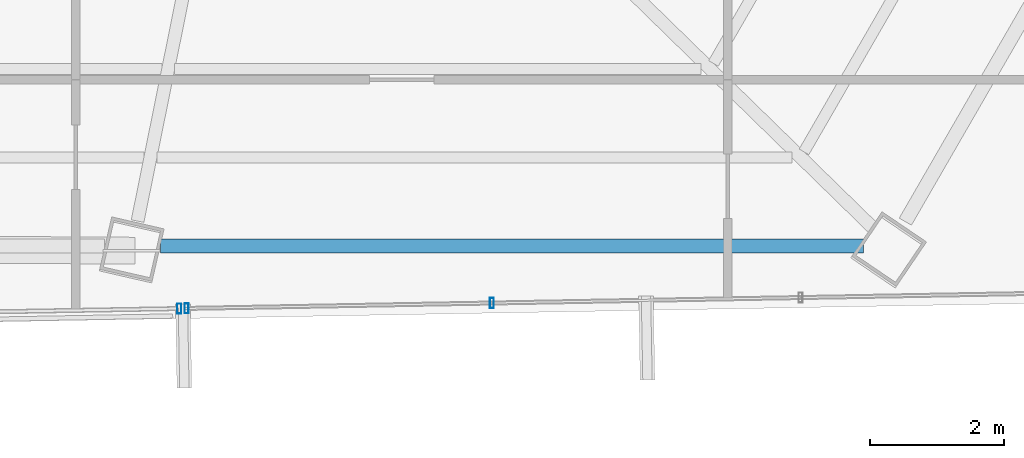
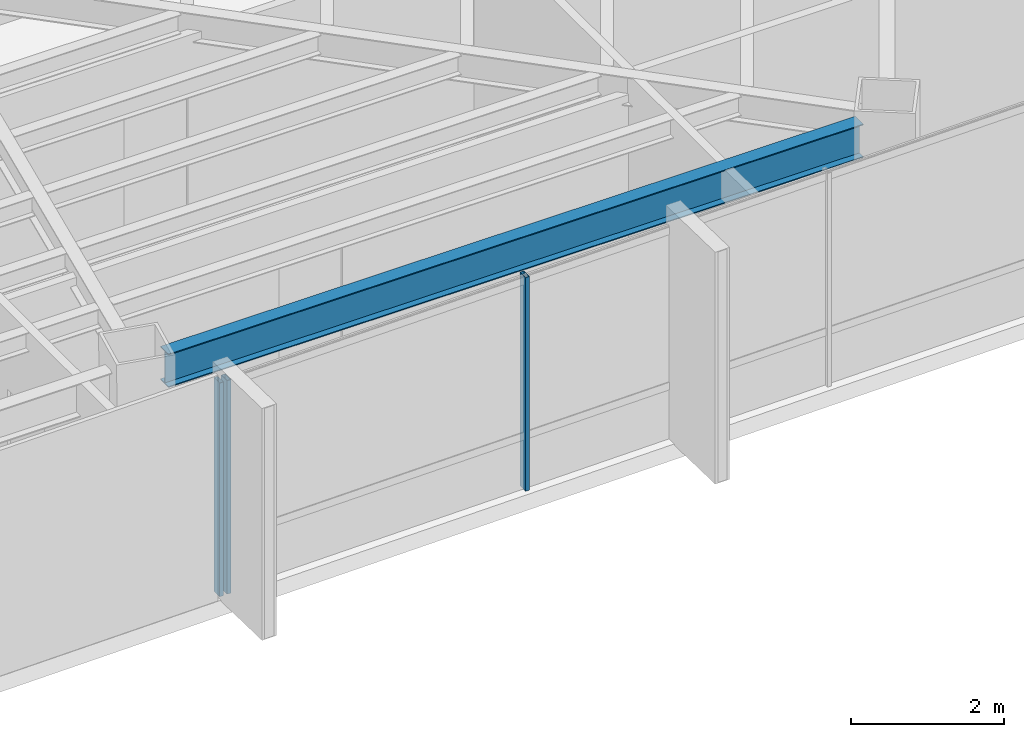
# One storey, part 18 of 42: 3 members, 1 beam, 2 elements without a shape of their own.
"""IFC4 building model written with IfcOpenShell, lengths in metres."""

import ifcopenshell
import ifcopenshell.guid

model = None  # the IFC model being written
_history = None  # IfcOwnerHistory: only IFC2X3 demands one
_inside = {}  # id of a spatial element -> (the spatial element, [elements in it])
_under = {}  # id of a project, library or spatial element -> (it, [spatial elements below it])
_declared = {}  # id of a project -> (the project, [libraries it declares])
_typed = {}  # id of a type object -> (the type object, [elements of that type])
_made_of = {}  # id of a material, layer set ... -> (it, [elements and type objects made of it])


def new_model(schema):
    """Start an empty IFC model of exactly this schema.

    Asked for "IFC4X3", IfcOpenShell would pick the latest addendum, in which some entities
    have other attributes; the version numbers below select the first issue.
    IFC2X3 requires an IfcOwnerHistory on every rooted entity: one is made here for all.
    """
    global model, _history
    if schema == "IFC4X3":
        model = ifcopenshell.file(schema_version=(4, 3, 0, 0))
    else:
        model = ifcopenshell.file(schema=schema)
    _inside.clear()
    _under.clear()
    _declared.clear()
    _typed.clear()
    _made_of.clear()
    _history = None
    if model.schema == "IFC2X3":
        org = make("IfcOrganization", Name="unknown")
        user = make(
            "IfcPersonAndOrganization",
            ThePerson=make("IfcPerson", FamilyName="unknown"),
            TheOrganization=org,
        )
        app = make(
            "IfcApplication",
            ApplicationDeveloper=org,
            Version="unknown",
            ApplicationFullName="unknown",
            ApplicationIdentifier="unknown",
        )
        _history = make(
            "IfcOwnerHistory",
            OwningUser=user,
            OwningApplication=app,
            ChangeAction="ADDED",
            CreationDate=0,
        )
    return model


def make(cls, **values):
    """One entity of the class cls with the attributes given. An attribute that is None is left unset."""
    return model.create_entity(
        cls, **{name: value for name, value in values.items() if value is not None}
    )


def rooted(cls, **values):
    """An entity with a GlobalId (a new one), such as an element, a storey or a relation."""
    return make(cls, GlobalId=ifcopenshell.guid.new(), OwnerHistory=_history, **values)


def si_unit(unit_type, name, prefix=None):
    """IfcSIUnit, for example si_unit("LENGTHUNIT", "METRE", prefix="MILLI")."""
    return make("IfcSIUnit", UnitType=unit_type, Prefix=prefix, Name=name)


def assignment(units):
    """IfcUnitAssignment: the units of a project."""
    return None if units is None else make("IfcUnitAssignment", Units=units)


def point(xyz):
    """IfcCartesianPoint."""
    return None if xyz is None else make("IfcCartesianPoint", Coordinates=xyz)


def direction(xyz):
    """IfcDirection."""
    return None if xyz is None else make("IfcDirection", DirectionRatios=xyz)


def frame(location, z_axis=None, x_axis=None):
    """IfcAxis2Placement3D, a coordinate frame: its origin and axes. An axis left out is left unset."""
    return make(
        "IfcAxis2Placement3D",
        Location=point(location),
        Axis=direction(z_axis),
        RefDirection=direction(x_axis),
    )


def frame_2d(location, x_axis=None):
    """IfcAxis2Placement2D, a coordinate frame in the plane: its origin and x axis."""
    return make(
        "IfcAxis2Placement2D", Location=point(location), RefDirection=direction(x_axis)
    )


def origin():
    """The frame at (0, 0, 0) with its axes left unset."""
    return frame((0.0, 0.0, 0.0))


def origin_2d():
    """The frame at (0, 0) in the plane with its x axis left unset."""
    return frame_2d((0.0, 0.0))


def place(relative_to, where):
    """IfcLocalPlacement: puts the frame where relative to a parent placement (None: the world)."""
    return make(
        "IfcLocalPlacement", PlacementRelTo=relative_to, RelativePlacement=where
    )


def context(
    kind, dimensions, precision=None, world=None, true_north=None, identifier=None
):
    """IfcGeometricRepresentationContext, for example the 3D "Model" context."""
    return make(
        "IfcGeometricRepresentationContext",
        ContextIdentifier=identifier,
        ContextType=kind,
        CoordinateSpaceDimension=dimensions,
        Precision=precision,
        WorldCoordinateSystem=world,
        TrueNorth=true_north,
    )


def subcontext(parent, identifier, kind, view, scale=None):
    """IfcGeometricRepresentationSubContext, for example "Body" below "Model"."""
    return make(
        "IfcGeometricRepresentationSubContext",
        ContextIdentifier=identifier,
        ContextType=kind,
        ParentContext=parent,
        TargetScale=scale,
        TargetView=view,
    )


def project(units=None, contexts=None):
    """IfcProject with its units and contexts."""
    return rooted(
        "IfcProject",
        Name="project",
        RepresentationContexts=contexts,
        UnitsInContext=assignment(units),
    )


def spatial(cls, under=None, at=None, **own):
    """A site, building, storey or space (cls), placed at a placement, below another one or the project."""
    s = rooted(cls, ObjectPlacement=at, **own)
    if under is not None:
        _under.setdefault(under.id(), (under, []))[1].append(s)
    return s


def profile(cls, at=None, kind="AREA", **sizes):
    """A parametric profile (cls). Its sizes go by their IFC names, for example OverallWidth=200.0."""
    return make(cls, ProfileType=kind, Position=at, **sizes)


def hollow_rectangle(**sizes):
    """IfcRectangleHollowProfileDef."""
    return profile("IfcRectangleHollowProfileDef", **sizes)


def i_section(**sizes):
    """IfcIShapeProfileDef."""
    return profile("IfcIShapeProfileDef", **sizes)


def extrude(swept, where, along, depth):
    """IfcExtrudedAreaSolid: the profile swept, set in the frame where, extruded along a direction by depth."""
    return make(
        "IfcExtrudedAreaSolid",
        SweptArea=swept,
        Position=where,
        ExtrudedDirection=direction(along),
        Depth=depth,
    )


def shape(context_of_items, identifier, shape_type, items):
    """IfcShapeRepresentation: the items that make up one representation, for example the "Body"."""
    return make(
        "IfcShapeRepresentation",
        ContextOfItems=context_of_items,
        RepresentationIdentifier=identifier,
        RepresentationType=shape_type,
        Items=items,
    )


def source(mapping_origin, context_of_items, identifier, shape_type, items):
    """IfcRepresentationMap: a shape defined once, which mapped items show again and again."""
    return make(
        "IfcRepresentationMap",
        MappingOrigin=mapping_origin,
        MappedRepresentation=shape(context_of_items, identifier, shape_type, items),
    )


def transform(
    local_origin,
    x_axis=None,
    y_axis=None,
    z_axis=None,
    scale=None,
    scale2=None,
    scale3=None,
    uniform=True,
):
    """IfcCartesianTransformationOperator3D, or its non-uniform kind. x_axis, y_axis, z_axis: its Axis1, 2, 3."""
    if uniform:
        return make(
            "IfcCartesianTransformationOperator3D",
            Axis1=direction(x_axis),
            Axis2=direction(y_axis),
            LocalOrigin=point(local_origin),
            Scale=scale,
            Axis3=direction(z_axis),
        )
    return make(
        "IfcCartesianTransformationOperator3DnonUniform",
        Axis1=direction(x_axis),
        Axis2=direction(y_axis),
        LocalOrigin=point(local_origin),
        Scale=scale,
        Axis3=direction(z_axis),
        Scale2=scale2,
        Scale3=scale3,
    )


def mapped(mapping_source, mapping_target):
    """IfcMappedItem: shows the shape of a source again, moved by a transform."""
    return make(
        "IfcMappedItem", MappingSource=mapping_source, MappingTarget=mapping_target
    )


def material(Name=None, Category=None):
    """IfcMaterial."""
    return make("IfcMaterial", Name=Name, Category=Category)


def material_profile(
    of_material, cross_section, Name=None, Category=None, Priority=None
):
    """IfcMaterialProfile: a cross section and its material."""
    return make(
        "IfcMaterialProfile",
        Name=Name,
        Material=of_material,
        Profile=cross_section,
        Priority=Priority,
        Category=Category,
    )


def profile_set(profiles, Name=None, composite=None):
    """IfcMaterialProfileSet."""
    return make(
        "IfcMaterialProfileSet",
        Name=Name,
        MaterialProfiles=profiles,
        CompositeProfile=composite,
    )


def made_of(thing, what):
    """Note that an element or type object is made of a material, layer set ...; save() writes the relation."""
    if what is not None:
        _made_of.setdefault(what.id(), (what, []))[1].append(thing)
    return thing


def type_object(cls, material=None, **own):
    """A type object (cls), such as IfcWallType, which elements share."""
    return made_of(rooted(cls, **own), material)


def type_shapes(of_type, sources):
    """Give a type object the sources (RepresentationMaps) that its elements show as mapped items."""
    of_type.RepresentationMaps = sources


def element(
    cls,
    number,
    at=None,
    inside=None,
    cuts=None,
    type_object=None,
    material=None,
    context=None,
    identifier="Body",
    shape_type=None,
    held_by="IfcProductDefinitionShape",
    body=None,
    shapes=None,
    **own,
):
    """One element of the class cls, such as IfcWall. Its Tag is "e" and its number.

    at: its placement. inside: the storey or other place that contains it. cuts: it is an
    opening in that element (IfcRelVoidsElement). A single representation is given by context,
    identifier, shape_type and body (its items); several are given by shapes. held_by: the class
    of the entity that holds the representations. save() writes the other relations.
    """
    e = rooted(cls, Tag="e%d" % number, ObjectPlacement=at, **own)
    if body is not None:
        shapes = [shape(context, identifier, shape_type, body)]
    if shapes is not None:
        e.Representation = make(held_by, Representations=shapes)
    if inside is not None:
        _inside.setdefault(inside.id(), (inside, []))[1].append(e)
    if cuts is not None:
        rooted(
            "IfcRelVoidsElement", RelatingBuildingElement=cuts, RelatedOpeningElement=e
        )
    if type_object is not None:
        _typed.setdefault(type_object.id(), (type_object, []))[1].append(e)
    return made_of(e, material)


def aggregate(whole, parts):
    """IfcRelAggregates: a whole, such as a stair, and the parts it consists of."""
    return rooted("IfcRelAggregates", RelatingObject=whole, RelatedObjects=parts)


def save(model, path):
    """Write the relations noted so far, then the file.

    IfcRelAggregates (storeys below a building ...), IfcRelContainedInSpatialStructure (elements
    in a storey), IfcRelDefinesByType, IfcRelAssociatesMaterial and IfcRelDeclares: one each for
    every whole, place, type object, material and project.
    """
    for whole, parts in _under.values():
        aggregate(whole, parts)
    for where, things in _inside.values():
        rooted(
            "IfcRelContainedInSpatialStructure",
            RelatedElements=things,
            RelatingStructure=where,
        )
    for kind, things in _typed.values():
        rooted("IfcRelDefinesByType", RelatedObjects=things, RelatingType=kind)
    for what, things in _made_of.values():
        rooted("IfcRelAssociatesMaterial", RelatedObjects=things, RelatingMaterial=what)
    for by, libraries in _declared.values():
        rooted("IfcRelDeclares", RelatingContext=by, RelatedDefinitions=libraries)
    model.write(path)


model = new_model("IFC4")

# Units and contexts
model_context = context("Model", 3, precision=1e-05, world=origin(), true_north=direction((0.0, 1.0)))
body_context = subcontext(model_context, "Body", "Model", "MODEL_VIEW")
ifc_project = project(units=[si_unit("LENGTHUNIT", "METRE"), si_unit("AREAUNIT", "SQUARE_METRE"), si_unit("VOLUMEUNIT", "CUBIC_METRE"), si_unit("PLANEANGLEUNIT", "RADIAN"), si_unit("MASSUNIT", "GRAM", prefix="KILO")], contexts=[model_context])

# Site, building, storey
site_placement = place(None, origin())
site = spatial("IfcSite", under=ifc_project, at=site_placement, CompositionType="ELEMENT")
building_placement = place(site_placement, origin())
building = spatial("IfcBuilding", under=site, at=building_placement, Name="Caelisora Broadcast Tower", CompositionType="ELEMENT")
storey_placement = place(building_placement, frame((0.0, 0.0, 195.0)))
storey = spatial("IfcBuildingStorey", under=building, at=storey_placement, Name="L51", CompositionType="ELEMENT", Elevation=195.0)

# Beam
ifc_material_1 = material(Name="Steel Grade 350 (AS/NZS 3679.1)", Category="steel")
ifc_material_profile_1 = material_profile(ifc_material_1, i_section(OverallWidth=0.208984375, OverallDepth=0.532958984375, WebThickness=0.01025390625, FlangeThickness=0.015625, at=origin_2d()), Name="Steel Grade 350 (AS/NZS 3679.1)")
ifc_profile_set_1 = profile_set([ifc_material_profile_1], Name="Steel Grade 350 (AS/NZS 3679.1)")
beam_type = type_object("IfcBeamType", Name="PG05", PredefinedType="BEAM", material=ifc_profile_set_1)
shared_shape_1 = source(origin(), body_context, "Body", "SweptSolid", [
    extrude(i_section(OverallWidth=0.208984375, OverallDepth=0.532958984375, WebThickness=0.01025390625, FlangeThickness=0.015625, at=origin_2d()), origin(), (0.0, 0.0, 1.0), 10.458740234375),
])
type_shapes(beam_type, [shared_shape_1])
beam_placement = place(storey_placement, frame((44.061279296875, 8.18798828125, 3.133544921875), z_axis=(1.0, 0.0, 0.0), x_axis=(0.0, 1.0, 0.0)))
element("IfcBeam", 1, at=beam_placement, inside=storey, type_object=beam_type, Name="L51 beam PG05", PredefinedType="BEAM", context=body_context, shape_type="MappedRepresentation", body=[
    mapped(shared_shape_1, transform((0.0, 0.0, 0.0), scale=1.0)),
])

# Curtain wall, members
ifc_material_2 = material(Name="Unitised Aluminium and Low-E Glass Curtain Wall", Category="glass")
curtain_wall_type_1 = type_object("IfcCurtainWallType", Name="CW-Z4", PredefinedType="NOTDEFINED", material=ifc_material_2)
curtain_wall_1_placement = place(storey_placement, origin())
curtain_wall_1 = element("IfcCurtainWall", 2, at=curtain_wall_1_placement, inside=storey, type_object=curtain_wall_type_1, Name="L51 curtain wall CW-Z4", PredefinedType="NOTDEFINED")
ifc_material_3 = material(Name="Aluminium 6063-T6 Anodised Terracotta Bronze", Category="aluminium")
ifc_material_profile_2 = material_profile(ifc_material_3, hollow_rectangle(XDim=0.06005859375, YDim=0.14990234375, WallThickness=0.00341796875, at=origin_2d()), Name="Aluminium 6063-T6 Anodised Terracotta Bronze")
ifc_profile_set_2 = profile_set([ifc_material_profile_2], Name="Aluminium 6063-T6 Anodised Terracotta Bronze")
member_type = type_object("IfcMemberType", Name="CWM-03", PredefinedType="MULLION", material=ifc_profile_set_2)
shared_shape_2 = source(origin(), body_context, "Body", "SweptSolid", [
    extrude(hollow_rectangle(XDim=0.06005859375, YDim=0.14990234375, WallThickness=0.00341796875, at=origin_2d()), origin(), (0.0, 0.0, 1.0), 3.39990234375),
])
type_shapes(member_type, [shared_shape_2])
member_1_placement = place(storey_placement, frame((48.991943359375, 7.33740234375, 0.0), z_axis=(0.0, 0.0, 1.0), x_axis=(1.0, 0.0, 0.0)))
member_1 = element("IfcMember", 3, at=member_1_placement, type_object=member_type, Name="L51-CW-B05 mullion #2", PredefinedType="MULLION", context=body_context, shape_type="MappedRepresentation", body=[
    mapped(shared_shape_2, transform((0.0, 0.0, 0.0), scale=1.0)),
])
member_2_placement = place(storey_placement, frame((44.44921875, 7.2568359375, 0.0), z_axis=(0.0, 0.0, 1.0), x_axis=(1.0, 0.0, 0.0)))
member_2 = element("IfcMember", 4, at=member_2_placement, type_object=member_type, Name="L51-CW-B05 mullion #3", PredefinedType="MULLION", context=body_context, shape_type="MappedRepresentation", body=[
    mapped(shared_shape_2, transform((0.0, 0.0, 0.0), scale=1.0)),
])
aggregate(curtain_wall_1, [member_1, member_2])

# Curtain wall, member
ifc_material_4 = material(Name="Unitised Aluminium Insulated Shadow-Box Spandrel Curtain Wall", Category="aluminium")
curtain_wall_type_2 = type_object("IfcCurtainWallType", Name="CW-SP2", PredefinedType="NOTDEFINED", material=ifc_material_4)
curtain_wall_2_placement = place(storey_placement, origin())
curtain_wall_2 = element("IfcCurtainWall", 5, at=curtain_wall_2_placement, inside=storey, type_object=curtain_wall_type_2, Name="L51 curtain wall CW-SP2", PredefinedType="NOTDEFINED")
member_3_placement = place(storey_placement, frame((44.33935546875, 7.2548828125, 0.0), z_axis=(0.0, 0.0, 1.0), x_axis=(1.0, 0.0, 0.0)))
member_3 = element("IfcMember", 6, at=member_3_placement, type_object=member_type, Name="L51-CW-B06 mullion #0", PredefinedType="MULLION", context=body_context, shape_type="MappedRepresentation", body=[
    mapped(shared_shape_2, transform((0.0, 0.0, 0.0), scale=1.0)),
])
aggregate(curtain_wall_2, [member_3])

save(model, "model.ifc")
